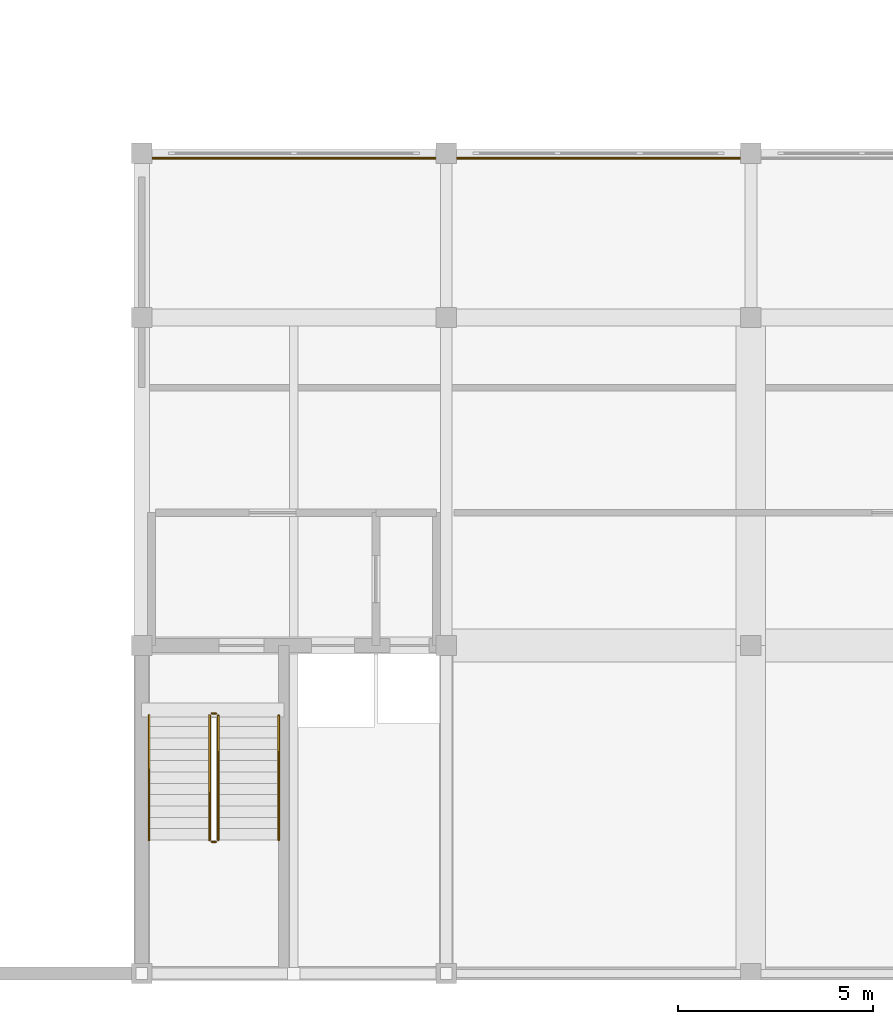
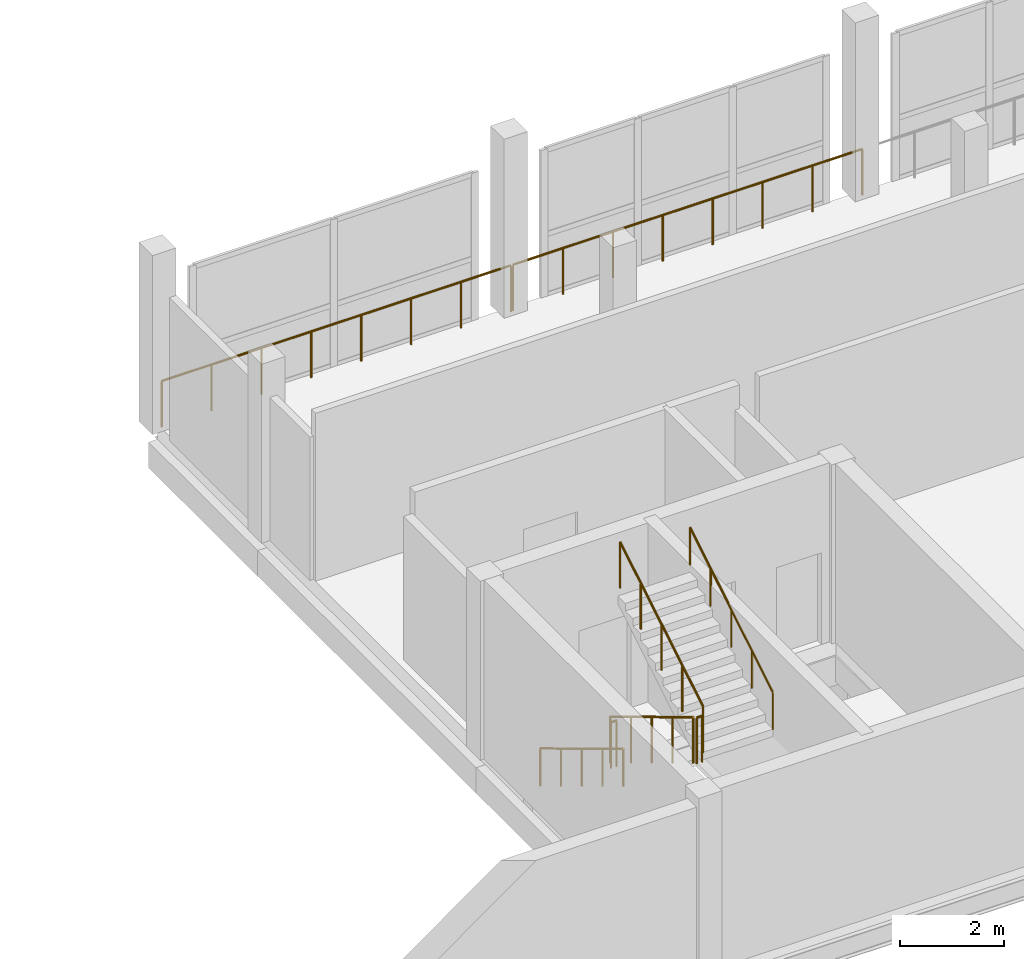
# One storey, part 50 of 53: 8 railings.
"""IFC4 building model written with IfcOpenShell, lengths in metres."""

from ifc_helpers import new_model, si_unit, direction, frame, origin, origin_2d, place, context, subcontext, project, spatial, circle, extrude, material, type_object, element, save


model = new_model("IFC4")

# Units and contexts
model_context = context("Model", 3, precision=1e-05, world=origin(), true_north=direction((0.0, 1.0)))
body_context = subcontext(model_context, "Body", "Model", "MODEL_VIEW")
ifc_project = project(units=[si_unit("LENGTHUNIT", "METRE"), si_unit("AREAUNIT", "SQUARE_METRE"), si_unit("VOLUMEUNIT", "CUBIC_METRE"), si_unit("PLANEANGLEUNIT", "RADIAN"), si_unit("MASSUNIT", "GRAM", prefix="KILO")], contexts=[model_context])

# Site, building, storey
site_placement = place(None, origin())
site = spatial("IfcSite", under=ifc_project, at=site_placement, CompositionType="ELEMENT")
building_placement = place(site_placement, origin())
building = spatial("IfcBuilding", under=site, at=building_placement, Name="Vharandega Faculty of Natural Sciences", CompositionType="ELEMENT")
storey_placement = place(building_placement, frame((0.0, 0.0, 10.199951171875)))
storey = spatial("IfcBuildingStorey", under=building, at=storey_placement, Name="L02", CompositionType="ELEMENT", Elevation=10.199951171875)

# Railings
ifc_material_1 = material(Name="Timber-capped steel and glass balustrade", Category="steel")
railing_type_1 = type_object("IfcRailingType", Name="Atrium Void Balustrade 1100", PredefinedType="BALUSTRADE", material=ifc_material_1)
for number, where, name in (
    (1, (114.824951171875, 84.8798828125, 0.0), "Laboratory Glazing Sill Balustrade L02 #1"),
    (2, (122.625, 84.8798828125, 0.0), "Laboratory Glazing Sill Balustrade L02 #2"),
):
    element("IfcRailing", number, at=place(storey_placement, frame(where)), inside=storey, type_object=railing_type_1, Name=name, PredefinedType="BALUSTRADE", context=body_context, shape_type="SweptSolid", body=[
        extrude(circle(Radius=0.02392578125, at=origin_2d()), frame((0.0, 0.0, 1.076171875), z_axis=(1.0, 0.0, 0.0), x_axis=(0.0, 1.0, 0.0)), (0.0, 0.0, 1.0), 7.75),
        extrude(circle(Radius=0.02099609375, at=origin_2d()), origin(), (0.0, 0.0, 1.0), 1.052001953125),
        extrude(circle(Radius=0.02099609375, at=origin_2d()), frame((1.107177734375, 0.0, 0.0)), (0.0, 0.0, 1.0), 1.052001953125),
        extrude(circle(Radius=0.02099609375, at=origin_2d()), frame((2.21435546875, 0.0, 0.0)), (0.0, 0.0, 1.0), 1.052001953125),
        extrude(circle(Radius=0.02099609375, at=origin_2d()), frame((3.321533203125, 0.0, 0.0)), (0.0, 0.0, 1.0), 1.052001953125),
        extrude(circle(Radius=0.02099609375, at=origin_2d()), frame((4.428466796875, 0.0, 0.0)), (0.0, 0.0, 1.0), 1.052001953125),
        extrude(circle(Radius=0.02099609375, at=origin_2d()), frame((5.53564453125, 0.0, 0.0)), (0.0, 0.0, 1.0), 1.052001953125),
        extrude(circle(Radius=0.02099609375, at=origin_2d()), frame((6.642822265625, 0.0, 0.0)), (0.0, 0.0, 1.0), 1.052001953125),
        extrude(circle(Radius=0.02099609375, at=origin_2d()), frame((7.75, 0.0, 0.0)), (0.0, 0.0, 1.0), 1.052001953125),
    ])
ifc_material_2 = material(Name="Brushed stainless steel handrail", Category="steel")
railing_type_2 = type_object("IfcRailingType", Name="Stair Tubular Handrail 900", PredefinedType="HANDRAIL", material=ifc_material_2)
railing_1_placement = place(storey_placement, frame((114.989990234375, 70.610107421875, 0.175048828125)))
element("IfcRailing", 3, at=railing_1_placement, inside=storey, type_object=railing_type_2, Name="L02 ST1 stair handrail 1", PredefinedType="HANDRAIL", context=body_context, shape_type="SweptSolid", body=[
    extrude(circle(Radius=0.02392578125, at=origin_2d()), frame((0.0, 0.0, 0.8759765625), z_axis=(0.0, -0.856195157123, 0.516652545643), x_axis=(1.0, 0.0, 0.0)), (0.0, 0.0, 1.0), 3.72607421875),
    extrude(circle(Radius=0.02099609375, at=origin_2d()), origin(), (0.0, 0.0, 1.0), 0.851806640625),
    extrude(circle(Radius=0.02099609375, at=origin_2d()), frame((0.0, -0.797607421875, 0.481201171875)), (0.0, 0.0, 1.0), 0.851806640625),
    extrude(circle(Radius=0.02099609375, at=origin_2d()), frame((0.0, -1.59521484375, 0.96240234375)), (0.0, 0.0, 1.0), 0.851806640625),
    extrude(circle(Radius=0.02099609375, at=origin_2d()), frame((0.0, -2.392578125, 1.44384765625)), (0.0, 0.0, 1.0), 0.851806640625),
    extrude(circle(Radius=0.02099609375, at=origin_2d()), frame((0.0, -3.190185546875, 1.925048828125)), (0.0, 0.0, 1.0), 0.851806640625),
])
railing_2_placement = place(storey_placement, frame((118.31005859375, 67.419921875, 2.275146484375)))
element("IfcRailing", 4, at=railing_2_placement, inside=storey, type_object=railing_type_2, Name="L02 ST1 stair handrail 2", PredefinedType="HANDRAIL", context=body_context, shape_type="SweptSolid", body=[
    extrude(circle(Radius=0.02392578125, at=origin_2d()), frame((0.0, 0.0, 0.8759765625), z_axis=(0.0, 0.856224141417, 0.516604509905), x_axis=(-1.0, 0.0, 0.0)), (0.0, 0.0, 1.0), 3.725830078125),
    extrude(circle(Radius=0.02099609375, at=origin_2d()), origin(), (0.0, 0.0, 1.0), 0.851806640625),
    extrude(circle(Radius=0.02099609375, at=origin_2d()), frame((0.0, 0.797607421875, 0.481201171875)), (0.0, 0.0, 1.0), 0.851806640625),
    extrude(circle(Radius=0.02099609375, at=origin_2d()), frame((0.0, 1.59521484375, 0.96240234375)), (0.0, 0.0, 1.0), 0.851806640625),
    extrude(circle(Radius=0.02099609375, at=origin_2d()), frame((0.0, 2.392578125, 1.443603515625)), (0.0, 0.0, 1.0), 0.851806640625),
    extrude(circle(Radius=0.02099609375, at=origin_2d()), frame((0.0, 3.190185546875, 1.9248046875)), (0.0, 0.0, 1.0), 0.851806640625),
])
ifc_material_3 = material(Name="Painted steel stair guardrail", Category="steel")
railing_type_3 = type_object("IfcRailingType", Name="Stairwell Steel Guardrail 1100", PredefinedType="GUARDRAIL", material=ifc_material_3)
railing_3_placement = place(storey_placement, frame((116.5400390625, 70.610107421875, 0.175048828125)))
element("IfcRailing", 5, at=railing_3_placement, inside=storey, type_object=railing_type_3, Name="L02 ST1 stair guard 1", PredefinedType="GUARDRAIL", context=body_context, shape_type="SweptSolid", body=[
    extrude(circle(Radius=0.02392578125, at=origin_2d()), frame((0.0, 0.0, 1.076171875), z_axis=(0.0, -0.856195157123, 0.516652545643), x_axis=(1.0, 0.0, 0.0)), (0.0, 0.0, 1.0), 3.72607421875),
    extrude(circle(Radius=0.02099609375, at=origin_2d()), origin(), (0.0, 0.0, 1.0), 1.052001953125),
    extrude(circle(Radius=0.02099609375, at=origin_2d()), frame((0.0, -0.797607421875, 0.481201171875)), (0.0, 0.0, 1.0), 1.052001953125),
    extrude(circle(Radius=0.02099609375, at=origin_2d()), frame((0.0, -1.59521484375, 0.96240234375)), (0.0, 0.0, 1.0), 1.052001953125),
    extrude(circle(Radius=0.02099609375, at=origin_2d()), frame((0.0, -2.392578125, 1.44384765625)), (0.0, 0.0, 1.0), 1.052001953125),
    extrude(circle(Radius=0.02099609375, at=origin_2d()), frame((0.0, -3.190185546875, 1.925048828125)), (0.0, 0.0, 1.0), 1.052001953125),
])
railing_4_placement = place(storey_placement, frame((116.590087890625, 67.3701171875, 2.10009765625)))
element("IfcRailing", 6, at=railing_4_placement, inside=storey, type_object=railing_type_3, Name="L02 ST1 stair guard 2", PredefinedType="GUARDRAIL", context=body_context, shape_type="SweptSolid", body=[
    extrude(circle(Radius=0.02392578125, at=origin_2d()), frame((0.0, 0.0, 1.076171875), z_axis=(1.0, 0.0, 0.0), x_axis=(0.0, 1.0, 0.0)), (0.0, 0.0, 1.0), 0.119873046875),
    extrude(circle(Radius=0.02099609375, at=origin_2d()), origin(), (0.0, 0.0, 1.0), 1.052001953125),
    extrude(circle(Radius=0.02099609375, at=origin_2d()), frame((0.119873046875, 0.0, 0.0)), (0.0, 0.0, 1.0), 1.052001953125),
])
railing_5_placement = place(storey_placement, frame((116.760009765625, 67.419921875, 2.275146484375)))
element("IfcRailing", 7, at=railing_5_placement, inside=storey, type_object=railing_type_3, Name="L02 ST1 stair guard 3", PredefinedType="GUARDRAIL", context=body_context, shape_type="SweptSolid", body=[
    extrude(circle(Radius=0.02392578125, at=origin_2d()), frame((0.0, 0.0, 1.076171875), z_axis=(0.0, 0.856224141417, 0.516604509905), x_axis=(-1.0, 0.0, 0.0)), (0.0, 0.0, 1.0), 3.725830078125),
    extrude(circle(Radius=0.02099609375, at=origin_2d()), origin(), (0.0, 0.0, 1.0), 1.052001953125),
    extrude(circle(Radius=0.02099609375, at=origin_2d()), frame((0.0, 0.797607421875, 0.481201171875)), (0.0, 0.0, 1.0), 1.052001953125),
    extrude(circle(Radius=0.02099609375, at=origin_2d()), frame((0.0, 1.59521484375, 0.96240234375)), (0.0, 0.0, 1.0), 1.052001953125),
    extrude(circle(Radius=0.02099609375, at=origin_2d()), frame((0.0, 2.392578125, 1.443603515625)), (0.0, 0.0, 1.0), 1.052001953125),
    extrude(circle(Radius=0.02099609375, at=origin_2d()), frame((0.0, 3.190185546875, 1.9248046875)), (0.0, 0.0, 1.0), 1.052001953125),
])
railing_6_placement = place(storey_placement, frame((116.590087890625, 70.659912109375, 0.0)))
element("IfcRailing", 8, at=railing_6_placement, inside=storey, type_object=railing_type_3, Name="L02 ST1 stair guard 4", PredefinedType="GUARDRAIL", context=body_context, shape_type="SweptSolid", body=[
    extrude(circle(Radius=0.02392578125, at=origin_2d()), frame((0.0, 0.0, 1.076171875), z_axis=(1.0, 0.0, 0.0), x_axis=(0.0, 1.0, 0.0)), (0.0, 0.0, 1.0), 0.119873046875),
    extrude(circle(Radius=0.02099609375, at=origin_2d()), origin(), (0.0, 0.0, 1.0), 1.052001953125),
    extrude(circle(Radius=0.02099609375, at=origin_2d()), frame((0.119873046875, 0.0, 0.0)), (0.0, 0.0, 1.0), 1.052001953125),
])

save(model, "model.ifc")
